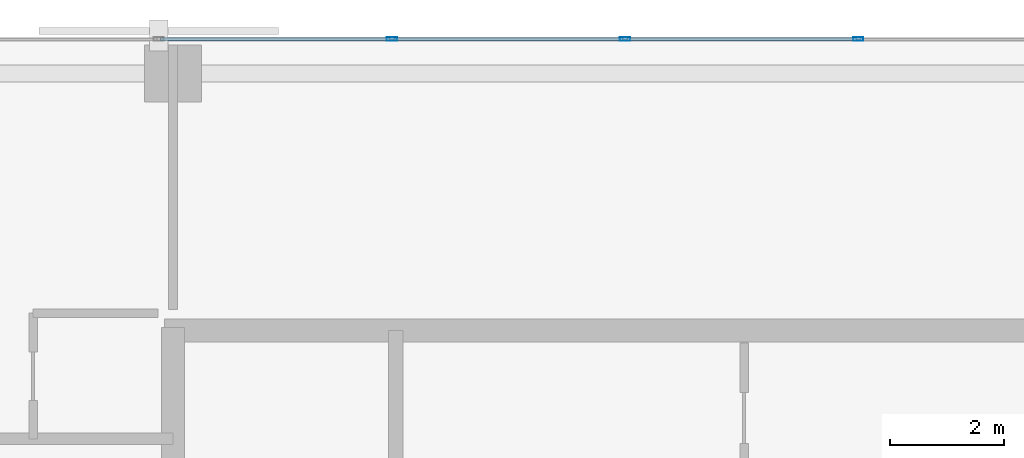
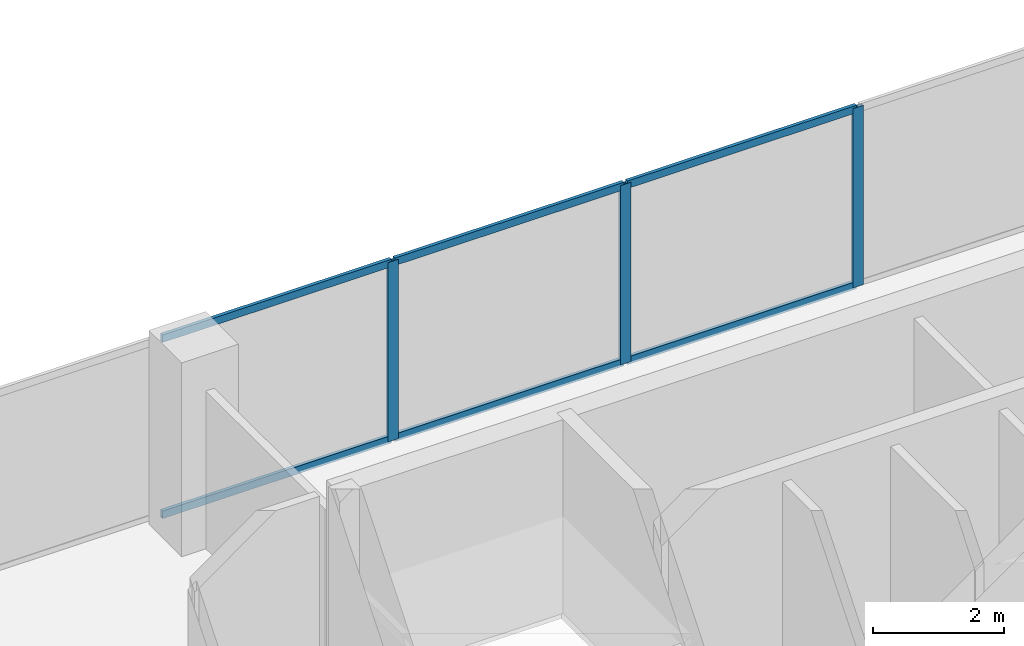
# One storey, part 21 of 31: 9 members, 1 element without a shape of its own.
"""IFC4 building model written with IfcOpenShell, lengths in metres."""

from ifc_helpers import new_model, si_unit, direction, frame, origin, origin_2d, place, context, subcontext, project, spatial, hollow_rectangle, extrude, material, layer, layer_set, material_profile, profile_set, type_object, element, aggregate, save


model = new_model("IFC4")

# Units and contexts
model_context = context("Model", 3, precision=1e-05, world=origin(), true_north=direction((0.0, 1.0)))
body_context = subcontext(model_context, "Body", "Model", "MODEL_VIEW")
ifc_project = project(units=[si_unit("LENGTHUNIT", "METRE"), si_unit("AREAUNIT", "SQUARE_METRE"), si_unit("VOLUMEUNIT", "CUBIC_METRE"), si_unit("PLANEANGLEUNIT", "RADIAN"), si_unit("MASSUNIT", "GRAM", prefix="KILO")], contexts=[model_context])

# Site, building, storey
site_placement = place(None, origin())
site = spatial("IfcSite", under=ifc_project, at=site_placement, CompositionType="ELEMENT")
building_placement = place(site_placement, origin())
building = spatial("IfcBuilding", under=site, at=building_placement, Name="Catumbela Crestline Tower", CompositionType="ELEMENT")
storey_placement = place(building_placement, frame((0.0, 0.0, 40.2)))
storey = spatial("IfcBuildingStorey", under=building, at=storey_placement, Name="L09", CompositionType="ELEMENT", Elevation=40.2)

# Curtain wall, members
ifc_material = material(Name="Aluminium alloy AW-6060-T66", Category="aluminium")
ifc_layer = layer(ifc_material, 0.18, Name="Aluminium alloy AW-6060-T66")
ifc_layer_set = layer_set([ifc_layer], Name="Aluminium alloy AW-6060-T66")
curtain_wall_type = type_object("IfcCurtainWallType", Name="CWU-Z1", PredefinedType="USERDEFINED", material=ifc_layer_set)
curtain_wall_placement = place(storey_placement, origin())
curtain_wall = element("IfcCurtainWall", 1, at=curtain_wall_placement, inside=storey, type_object=curtain_wall_type, Name="L09 Unitised Curtain Wall CW-L09-E7S1", ObjectType="UNITISED", PredefinedType="USERDEFINED")
ifc_material_profile_1 = material_profile(ifc_material, hollow_rectangle(XDim=0.065, YDim=0.18, WallThickness=0.004, at=origin_2d()), Name="ALU 180x65x4")
ifc_profile_set_1 = profile_set([ifc_material_profile_1], Name="Aluminium alloy AW-6060-T66")
member_type_1 = type_object("IfcMemberType", Name="MUL-180X65", PredefinedType="MULLION", material=ifc_profile_set_1)
member_1_placement = place(storey_placement, frame((28.0, 48.0, 0.0), z_axis=(0.0, 0.0, 1.0), x_axis=(0.0, -1.0, 0.0)))
member_1 = element("IfcMember", 2, at=member_1_placement, type_object=member_type_1, Name="CWU-Z1 mullion 7", PredefinedType="MULLION", context=body_context, shape_type="SweptSolid", body=[
    extrude(hollow_rectangle(XDim=0.065, YDim=0.18, WallThickness=0.004, at=origin_2d()), origin(), (0.0, 0.0, 1.0), 3.33),
])
member_2_placement = place(storey_placement, frame((23.9167, 48.0, 0.0), z_axis=(0.0, 0.0, 1.0), x_axis=(0.0, -1.0, 0.0)))
member_2 = element("IfcMember", 3, at=member_2_placement, type_object=member_type_1, Name="CWU-Z1 mullion 8", PredefinedType="MULLION", context=body_context, shape_type="SweptSolid", body=[
    extrude(hollow_rectangle(XDim=0.065, YDim=0.18, WallThickness=0.004, at=origin_2d()), origin(), (0.0, 0.0, 1.0), 3.33),
])
member_3_placement = place(storey_placement, frame((19.8333, 48.0, 0.0), z_axis=(0.0, 0.0, 1.0), x_axis=(0.0, -1.0, 0.0)))
member_3 = element("IfcMember", 4, at=member_3_placement, type_object=member_type_1, Name="CWU-Z1 mullion 9", PredefinedType="MULLION", context=body_context, shape_type="SweptSolid", body=[
    extrude(hollow_rectangle(XDim=0.065, YDim=0.18, WallThickness=0.004, at=origin_2d()), origin(), (0.0, 0.0, 1.0), 3.33),
])
ifc_material_profile_2 = material_profile(ifc_material, hollow_rectangle(XDim=0.06, YDim=0.14, WallThickness=0.004, at=origin_2d()), Name="ALU 140x60x4")
ifc_profile_set_2 = profile_set([ifc_material_profile_2], Name="Aluminium alloy AW-6060-T66")
member_type_2 = type_object("IfcMemberType", Name="TRN-140X60", PredefinedType="USERDEFINED", material=ifc_profile_set_2)
member_4_placement = place(storey_placement, frame((27.9675, 48.0, 0.03), z_axis=(-1.0, 0.0, 0.0), x_axis=(0.0, -1.0, 0.0)))
member_4 = element("IfcMember", 5, at=member_4_placement, type_object=member_type_2, Name="CWU-Z1 transom 7.1", ObjectType="TRANSOM", PredefinedType="USERDEFINED", context=body_context, shape_type="SweptSolid", body=[
    extrude(hollow_rectangle(XDim=0.06, YDim=0.14, WallThickness=0.004, at=origin_2d()), origin(), (0.0, 0.0, 1.0), 4.0183),
])
member_5_placement = place(storey_placement, frame((27.9675, 48.0, 3.3), z_axis=(-1.0, 0.0, 0.0), x_axis=(0.0, -1.0, 0.0)))
member_5 = element("IfcMember", 6, at=member_5_placement, type_object=member_type_2, Name="CWU-Z1 transom 7.2", ObjectType="TRANSOM", PredefinedType="USERDEFINED", context=body_context, shape_type="SweptSolid", body=[
    extrude(hollow_rectangle(XDim=0.06, YDim=0.14, WallThickness=0.004, at=origin_2d()), origin(), (0.0, 0.0, 1.0), 4.0183),
])
member_6_placement = place(storey_placement, frame((23.8842, 48.0, 0.03), z_axis=(-1.0, 0.0, 0.0), x_axis=(0.0, -1.0, 0.0)))
member_6 = element("IfcMember", 7, at=member_6_placement, type_object=member_type_2, Name="CWU-Z1 transom 8.1", ObjectType="TRANSOM", PredefinedType="USERDEFINED", context=body_context, shape_type="SweptSolid", body=[
    extrude(hollow_rectangle(XDim=0.06, YDim=0.14, WallThickness=0.004, at=origin_2d()), origin(), (0.0, 0.0, 1.0), 4.0184),
])
member_7_placement = place(storey_placement, frame((23.8842, 48.0, 3.3), z_axis=(-1.0, 0.0, 0.0), x_axis=(0.0, -1.0, 0.0)))
member_7 = element("IfcMember", 8, at=member_7_placement, type_object=member_type_2, Name="CWU-Z1 transom 8.2", ObjectType="TRANSOM", PredefinedType="USERDEFINED", context=body_context, shape_type="SweptSolid", body=[
    extrude(hollow_rectangle(XDim=0.06, YDim=0.14, WallThickness=0.004, at=origin_2d()), origin(), (0.0, 0.0, 1.0), 4.0184),
])
member_8_placement = place(storey_placement, frame((19.8008, 48.0, 0.03), z_axis=(-1.0, 0.0, 0.0), x_axis=(0.0, -1.0, 0.0)))
member_8 = element("IfcMember", 9, at=member_8_placement, type_object=member_type_2, Name="CWU-Z1 transom 9.1", ObjectType="TRANSOM", PredefinedType="USERDEFINED", context=body_context, shape_type="SweptSolid", body=[
    extrude(hollow_rectangle(XDim=0.06, YDim=0.14, WallThickness=0.004, at=origin_2d()), origin(), (0.0, 0.0, 1.0), 4.0183),
])
member_9_placement = place(storey_placement, frame((19.8008, 48.0, 3.3), z_axis=(-1.0, 0.0, 0.0), x_axis=(0.0, -1.0, 0.0)))
member_9 = element("IfcMember", 10, at=member_9_placement, type_object=member_type_2, Name="CWU-Z1 transom 9.2", ObjectType="TRANSOM", PredefinedType="USERDEFINED", context=body_context, shape_type="SweptSolid", body=[
    extrude(hollow_rectangle(XDim=0.06, YDim=0.14, WallThickness=0.004, at=origin_2d()), origin(), (0.0, 0.0, 1.0), 4.0183),
])
aggregate(curtain_wall, [member_1, member_2, member_3, member_4, member_5, member_6, member_7, member_8, member_9])

save(model, "model.ifc")
